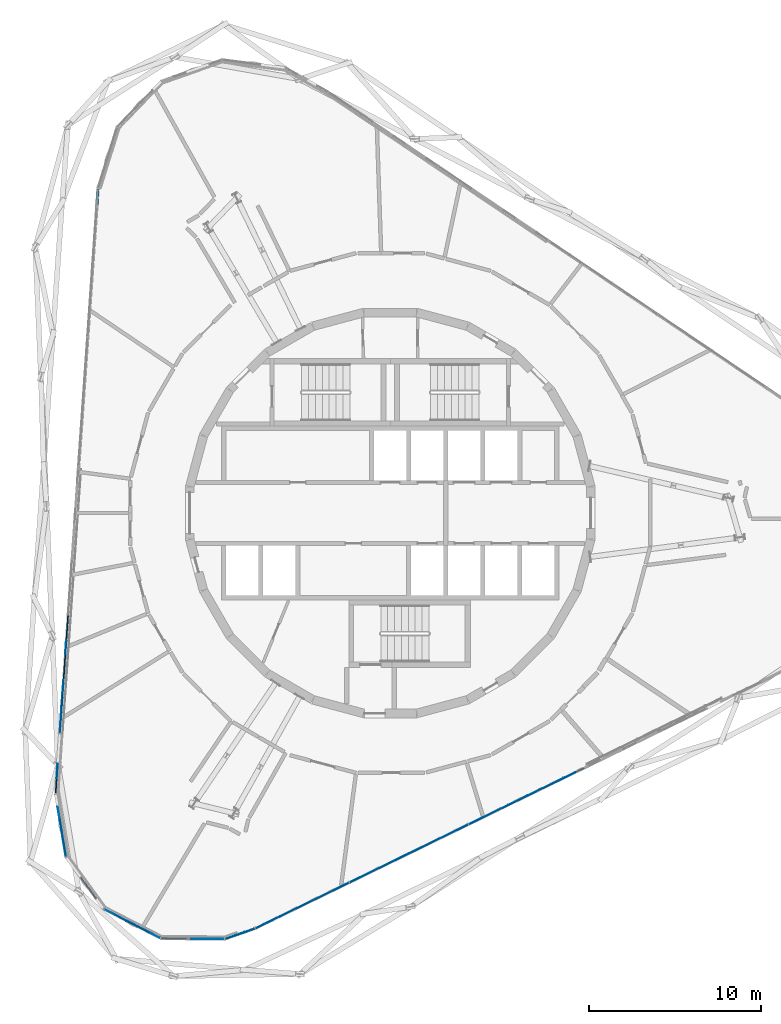
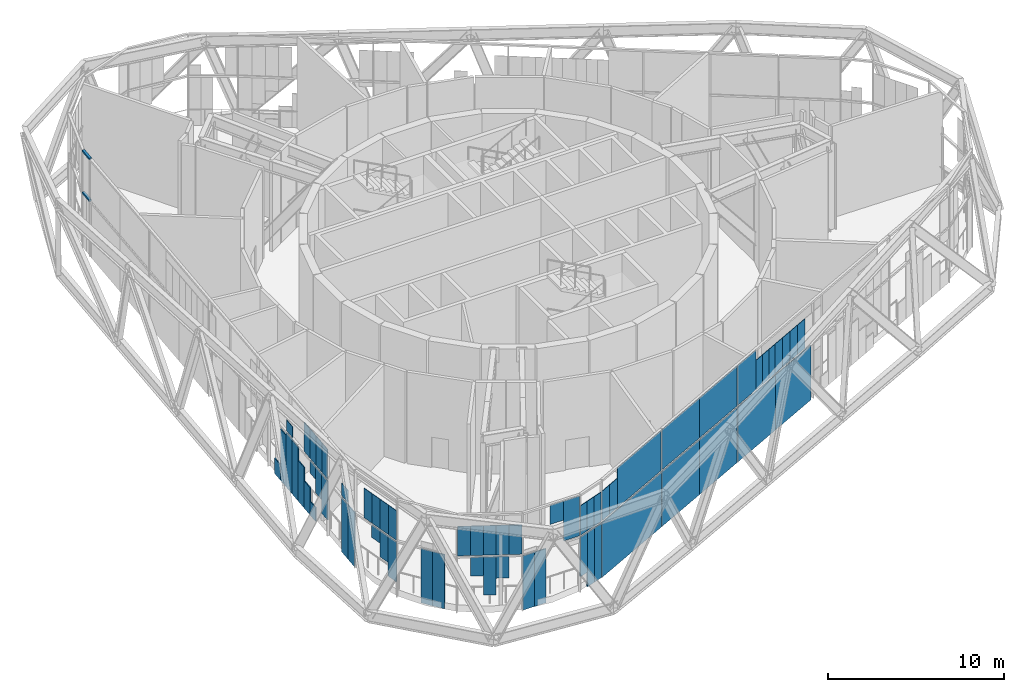
# One storey, part 9 of 24: 63 plates, 2 members, 4 elements without a shape of their own.
"""IFC4 building model written with IfcOpenShell, lengths in metres."""

from ifc_helpers import new_model, si_unit, direction, frame, origin, origin_2d, place, context, subcontext, project, spatial, rectangle, extrude, material, layer, layer_set, material_profile, profile_set, type_object, element, aggregate, save


model = new_model("IFC4")

# Units and contexts
model_context = context("Model", 3, precision=1e-05, world=origin(), true_north=direction((0.0, 1.0)))
body_context = subcontext(model_context, "Body", "Model", "MODEL_VIEW")
ifc_project = project(units=[si_unit("LENGTHUNIT", "METRE"), si_unit("AREAUNIT", "SQUARE_METRE"), si_unit("VOLUMEUNIT", "CUBIC_METRE"), si_unit("PLANEANGLEUNIT", "RADIAN"), si_unit("MASSUNIT", "GRAM", prefix="KILO")], contexts=[model_context])

# Site, building, storey
site_placement = place(None, origin())
site = spatial("IfcSite", under=ifc_project, at=site_placement, CompositionType="ELEMENT")
building_placement = place(site_placement, origin())
building = spatial("IfcBuilding", under=site, at=building_placement, Name="Spindle Arch Residences", CompositionType="ELEMENT")
storey_placement = place(building_placement, frame((0.0, 0.0, 219.89990234375)))
storey = spatial("IfcBuildingStorey", under=building, at=storey_placement, Name="L56", CompositionType="ELEMENT", Elevation=219.89990234375)

# Curtain wall, members
ifc_material_1 = material(Name="Aluminium bronze unitised frame with tinted glass", Category="aluminium")
ifc_layer_1 = layer(ifc_material_1, 0.159912109375)
ifc_layer_set_1 = layer_set([ifc_layer_1], Name="CW-E double-height winter garden wall")
curtain_wall_type = type_object("IfcCurtainWallType", Name="CW-E double-height winter garden wall", PredefinedType="NOTDEFINED", material=ifc_layer_set_1)
curtain_wall_1_placement = place(storey_placement, origin())
curtain_wall_1 = element("IfcCurtainWall", 1, at=curtain_wall_1_placement, inside=storey, type_object=curtain_wall_type, Name="CW-E L56 run 3", PredefinedType="NOTDEFINED")
ifc_material_2 = material(Name="Aluminium bronze anodised transom", Category="aluminium")
ifc_material_profile = material_profile(ifc_material_2, rectangle(XDim=0.159912109375, YDim=0.1201171875, at=origin_2d()), Name="TR 120x160")
ifc_profile_set = profile_set([ifc_material_profile], Name="Aluminium bronze anodised transom")
member_type = type_object("IfcMemberType", Name="Bronze transom 120x160", PredefinedType="USERDEFINED", material=ifc_profile_set)
member_1_placement = place(storey_placement, frame((-16.98828125, 18.83447265625, 6.2900390625), z_axis=(-0.069692035463, -0.997568554132, 0.0), x_axis=(0.997568554132, -0.069692035463, 0.0)))
member_1 = element("IfcMember", 2, at=member_1_placement, type_object=member_type, Name="CW-E transom 05", ObjectType="TRANSOM", PredefinedType="USERDEFINED", context=body_context, shape_type="SweptSolid", body=[
    extrude(rectangle(XDim=0.159912109375, YDim=0.1201171875, at=origin_2d()), origin(), (0.0, 0.0, 1.0), 0.90380859375),
])
member_2_placement = place(storey_placement, frame((-16.98828125, 18.83447265625, 3.400146484375), z_axis=(-0.069692035463, -0.997568554132, 0.0), x_axis=(0.997568554132, -0.069692035463, 0.0)))
member_2 = element("IfcMember", 3, at=member_2_placement, type_object=member_type, Name="CW-E transom 05m", ObjectType="TRANSOM", PredefinedType="USERDEFINED", context=body_context, shape_type="SweptSolid", body=[
    extrude(rectangle(XDim=0.159912109375, YDim=0.1201171875, at=origin_2d()), origin(), (0.0, 0.0, 1.0), 0.90380859375),
])
aggregate(curtain_wall_1, [member_1, member_2])

# Curtain wall, plates
curtain_wall_2_placement = place(storey_placement, origin())
curtain_wall_2 = element("IfcCurtainWall", 4, at=curtain_wall_2_placement, inside=storey, type_object=curtain_wall_type, Name="CW-E L56 run 4", PredefinedType="NOTDEFINED")
ifc_material_3 = material(Name="Tinted laminated glass 28 mm", Category="glass")
ifc_layer_2 = layer(ifc_material_3, 0.028076171875)
ifc_layer_set_2 = layer_set([ifc_layer_2], Name="Tinted glass panel 28 mm")
plate_type_1 = type_object("IfcPlateType", Name="Tinted glass panel 28 mm", PredefinedType="CURTAIN_PANEL", material=ifc_layer_set_2)
plate_1_placement = place(storey_placement, frame((-18.85205078125, -7.817138671875, 3.460205078125), z_axis=(0.0, 0.0, 1.0), x_axis=(-0.069756473744, -0.99756405026, 0.0)))
plate_1 = element("IfcPlate", 5, at=plate_1_placement, type_object=plate_type_1, Name="CW-E panel 15Ab.2", PredefinedType="CURTAIN_PANEL", context=body_context, shape_type="SweptSolid", body=[
    extrude(rectangle(XDim=0.763427734375, YDim=0.028076171875, at=origin_2d()), origin(), (0.0, 0.0, 1.0), 0.7490234375),
])
plate_2_placement = place(storey_placement, frame((-19.01171875, -10.101806640625, 3.460205078125), z_axis=(0.0, 0.0, 1.0), x_axis=(-0.069756473744, -0.99756405026, 0.0)))
plate_2 = element("IfcPlate", 6, at=plate_2_placement, type_object=plate_type_1, Name="CW-E panel 15Bb.1", PredefinedType="CURTAIN_PANEL", context=body_context, shape_type="SweptSolid", body=[
    extrude(rectangle(XDim=0.763427734375, YDim=0.028076171875, at=origin_2d()), origin(), (0.0, 0.0, 1.0), 2.0458984375),
])
plate_3_placement = place(storey_placement, frame((-19.06494140625, -10.86328125, 3.460205078125), z_axis=(0.0, 0.0, 1.0), x_axis=(-0.069756473744, -0.99756405026, 0.0)))
plate_3 = element("IfcPlate", 7, at=plate_3_placement, type_object=plate_type_1, Name="CW-E panel 15Bb.2", PredefinedType="CURTAIN_PANEL", context=body_context, shape_type="SweptSolid", body=[
    extrude(rectangle(XDim=0.763427734375, YDim=0.028076171875, at=origin_2d()), origin(), (0.0, 0.0, 1.0), 2.0458984375),
])
plate_4_placement = place(storey_placement, frame((-19.1181640625, -11.624755859375, 3.460205078125), z_axis=(0.0, 0.0, 1.0), x_axis=(-0.069756473744, -0.99756405026, 0.0)))
plate_4 = element("IfcPlate", 8, at=plate_4_placement, type_object=plate_type_1, Name="CW-E panel 15Bb.3", PredefinedType="CURTAIN_PANEL", context=body_context, shape_type="SweptSolid", body=[
    extrude(rectangle(XDim=0.763427734375, YDim=0.028076171875, at=origin_2d()), origin(), (0.0, 0.0, 1.0), 2.0458984375),
])
plate_5_placement = place(storey_placement, frame((-19.17138671875, -12.38623046875, 3.460205078125), z_axis=(0.0, 0.0, 1.0), x_axis=(-0.069756473744, -0.99756405026, 0.0)))
plate_5 = element("IfcPlate", 9, at=plate_5_placement, type_object=plate_type_1, Name="CW-E panel 15Bb.4", PredefinedType="CURTAIN_PANEL", context=body_context, shape_type="SweptSolid", body=[
    extrude(rectangle(XDim=0.763427734375, YDim=0.028076171875, at=origin_2d()), origin(), (0.0, 0.0, 1.0), 2.0458984375),
])

curtain_wall_3_placement = place(storey_placement, origin())
curtain_wall_3 = element("IfcCurtainWall", 10, at=curtain_wall_3_placement, inside=storey, type_object=curtain_wall_type, Name="CW-E L56 run 5", PredefinedType="NOTDEFINED")
plate_6_placement = place(storey_placement, frame((-19.353515625, -14.989501953125, 3.4599609375), z_axis=(0.0, 0.0, 1.0), x_axis=(-0.069756473744, -0.99756405026, 0.0)))
plate_6 = element("IfcPlate", 11, at=plate_6_placement, type_object=plate_type_1, Name="CW-E panel 00b.1", PredefinedType="CURTAIN_PANEL", context=body_context, shape_type="SweptSolid", body=[
    extrude(rectangle(XDim=0.8671875, YDim=0.028076171875, at=origin_2d()), origin(), (0.0, 0.0, 1.0), 0.85986328125),
])
plate_7_placement = place(storey_placement, frame((-19.26318359375, -17.431884765625, 3.460205078125), z_axis=(0.0, 0.0, 1.0), x_axis=(0.162177925821, -0.986761531666, 0.0)))
plate_7 = element("IfcPlate", 12, at=plate_7_placement, type_object=plate_type_1, Name="CW-E panel 01b.1", PredefinedType="CURTAIN_PANEL", context=body_context, shape_type="SweptSolid", body=[
    extrude(rectangle(XDim=0.7333984375, YDim=0.028076171875, at=origin_2d()), origin(), (0.0, 0.0, 1.0), 2.0458984375),
])
plate_8_placement = place(storey_placement, frame((-19.14404296875, -18.155517578125, 3.460205078125), z_axis=(0.0, 0.0, 1.0), x_axis=(0.162177925821, -0.986761531666, 0.0)))
plate_8 = element("IfcPlate", 13, at=plate_8_placement, type_object=plate_type_1, Name="CW-E panel 01b.2", PredefinedType="CURTAIN_PANEL", context=body_context, shape_type="SweptSolid", body=[
    extrude(rectangle(XDim=0.7333984375, YDim=0.028076171875, at=origin_2d()), origin(), (0.0, 0.0, 1.0), 2.0458984375),
])
plate_9_placement = place(storey_placement, frame((-19.025146484375, -18.879150390625, 3.460205078125), z_axis=(0.0, 0.0, 1.0), x_axis=(0.162177925821, -0.986761531666, 0.0)))
plate_9 = element("IfcPlate", 14, at=plate_9_placement, type_object=plate_type_1, Name="CW-E panel 01b.3", PredefinedType="CURTAIN_PANEL", context=body_context, shape_type="SweptSolid", body=[
    extrude(rectangle(XDim=0.7333984375, YDim=0.028076171875, at=origin_2d()), origin(), (0.0, 0.0, 1.0), 2.0458984375),
])
plate_10_placement = place(storey_placement, frame((-18.90625, -19.602783203125, 3.460205078125), z_axis=(0.0, 0.0, 1.0), x_axis=(0.162177925821, -0.986761531666, 0.0)))
plate_10 = element("IfcPlate", 15, at=plate_10_placement, type_object=plate_type_1, Name="CW-E panel 01b.4", PredefinedType="CURTAIN_PANEL", context=body_context, shape_type="SweptSolid", body=[
    extrude(rectangle(XDim=0.7333984375, YDim=0.028076171875, at=origin_2d()), origin(), (0.0, 0.0, 1.0), 2.0458984375),
])
plate_11_placement = place(storey_placement, frame((-16.299072265625, -23.19140625, 3.460205078125), z_axis=(0.0, 0.0, 1.0), x_axis=(0.88835025098, -0.459166453025, 0.0)))
plate_11 = element("IfcPlate", 16, at=plate_11_placement, type_object=plate_type_1, Name="CW-E panel 03b.1", PredefinedType="CURTAIN_PANEL", context=body_context, shape_type="SweptSolid", body=[
    extrude(rectangle(XDim=0.7333984375, YDim=0.028076171875, at=origin_2d()), origin(), (0.0, 0.0, 1.0), 2.0458984375),
])
plate_12_placement = place(storey_placement, frame((-15.6474609375, -23.528076171875, 3.460205078125), z_axis=(0.0, 0.0, 1.0), x_axis=(0.88835025098, -0.459166453025, 0.0)))
plate_12 = element("IfcPlate", 17, at=plate_12_placement, type_object=plate_type_1, Name="CW-E panel 03b.2", PredefinedType="CURTAIN_PANEL", context=body_context, shape_type="SweptSolid", body=[
    extrude(rectangle(XDim=0.7333984375, YDim=0.028076171875, at=origin_2d()), origin(), (0.0, 0.0, 1.0), 2.0458984375),
])
plate_13_placement = place(storey_placement, frame((-14.99609375, -23.86474609375, 3.460205078125), z_axis=(0.0, 0.0, 1.0), x_axis=(0.88835025098, -0.459166453025, 0.0)))
plate_13 = element("IfcPlate", 18, at=plate_13_placement, type_object=plate_type_1, Name="CW-E panel 03b.3", PredefinedType="CURTAIN_PANEL", context=body_context, shape_type="SweptSolid", body=[
    extrude(rectangle(XDim=0.7333984375, YDim=0.028076171875, at=origin_2d()), origin(), (0.0, 0.0, 1.0), 2.0458984375),
])
plate_14_placement = place(storey_placement, frame((-14.3447265625, -24.20166015625, 3.460205078125), z_axis=(0.0, 0.0, 1.0), x_axis=(0.88835025098, -0.459166453025, 0.0)))
plate_14 = element("IfcPlate", 19, at=plate_14_placement, type_object=plate_type_1, Name="CW-E panel 03b.4", PredefinedType="CURTAIN_PANEL", context=body_context, shape_type="SweptSolid", body=[
    extrude(rectangle(XDim=0.7333984375, YDim=0.028076171875, at=origin_2d()), origin(), (0.0, 0.0, 1.0), 2.0458984375),
])
plate_15_placement = place(storey_placement, frame((-13.693115234375, -24.538330078125, 3.460205078125), z_axis=(0.0, 0.0, 1.0), x_axis=(0.88835025098, -0.459166453025, 0.0)))
plate_15 = element("IfcPlate", 20, at=plate_15_placement, type_object=plate_type_1, Name="CW-E panel 03b.5", PredefinedType="CURTAIN_PANEL", context=body_context, shape_type="SweptSolid", body=[
    extrude(rectangle(XDim=0.7333984375, YDim=0.028076171875, at=origin_2d()), origin(), (0.0, 0.0, 1.0), 2.0458984375),
])
plate_16_placement = place(storey_placement, frame((-11.112548828125, -24.746337890625, 4.901611328125), z_axis=(0.0, 0.0, 1.0), x_axis=(0.999932308032, -0.011635263346, 0.0)))
plate_16 = element("IfcPlate", 21, at=plate_16_placement, type_object=plate_type_1, Name="CW-E panel 04b.3", PredefinedType="CURTAIN_PANEL", context=body_context, shape_type="SweptSolid", body=[
    extrude(rectangle(XDim=0.87939453125, YDim=0.028076171875, at=origin_2d()), origin(), (0.0, 0.0, 1.0), 1.32861328125),
])
plate_17_placement = place(storey_placement, frame((-10.158447265625, -24.757568359375, 3.460205078125), z_axis=(0.0, 0.0, 1.0), x_axis=(0.999932308032, -0.011635263346, 0.0)))
plate_17 = element("IfcPlate", 22, at=plate_17_placement, type_object=plate_type_1, Name="CW-E panel 04b.4", PredefinedType="CURTAIN_PANEL", context=body_context, shape_type="SweptSolid", body=[
    extrude(rectangle(XDim=1.028564453125, YDim=0.028076171875, at=origin_2d()), origin(), (0.0, 0.0, 1.0), 2.77001953125),
])
plate_18_placement = place(storey_placement, frame((-9.30029296875, -24.653564453125, 3.460205078125), z_axis=(0.0, 0.0, 1.0), x_axis=(0.943608504957, 0.33106342198, 0.0)))
plate_18 = element("IfcPlate", 23, at=plate_18_placement, type_object=plate_type_1, Name="CW-E panel 05b.1", PredefinedType="CURTAIN_PANEL", context=body_context, shape_type="SweptSolid", body=[
    extrude(rectangle(XDim=0.60546875, YDim=0.028076171875, at=origin_2d()), origin(), (0.0, 0.0, 1.0), 2.0458984375),
])
plate_19_placement = place(storey_placement, frame((-8.72900390625, -24.453369140625, 3.460205078125), z_axis=(0.0, 0.0, 1.0), x_axis=(0.943608504957, 0.33106342198, 0.0)))
plate_19 = element("IfcPlate", 24, at=plate_19_placement, type_object=plate_type_1, Name="CW-E panel 05b.2", PredefinedType="CURTAIN_PANEL", context=body_context, shape_type="SweptSolid", body=[
    extrude(rectangle(XDim=0.60546875, YDim=0.028076171875, at=origin_2d()), origin(), (0.0, 0.0, 1.0), 2.0458984375),
])
plate_20_placement = place(storey_placement, frame((-8.157958984375, -24.2529296875, 3.460205078125), z_axis=(0.0, 0.0, 1.0), x_axis=(0.943608504957, 0.33106342198, 0.0)))
plate_20 = element("IfcPlate", 25, at=plate_20_placement, type_object=plate_type_1, Name="CW-E panel 05b.3", PredefinedType="CURTAIN_PANEL", context=body_context, shape_type="SweptSolid", body=[
    extrude(rectangle(XDim=0.60546875, YDim=0.028076171875, at=origin_2d()), origin(), (0.0, 0.0, 1.0), 2.0458984375),
])
plate_21_placement = place(storey_placement, frame((-7.4609375, -23.955810546875, 3.460205078125), z_axis=(0.0, 0.0, 1.0), x_axis=(0.898794046299, 0.438371146789, 0.0)))
plate_21 = element("IfcPlate", 26, at=plate_21_placement, type_object=plate_type_1, Name="CW-E panel 06b.1", PredefinedType="CURTAIN_PANEL", context=body_context, shape_type="SweptSolid", body=[
    extrude(rectangle(XDim=0.792236328125, YDim=0.028076171875, at=origin_2d()), origin(), (0.0, 0.0, 1.0), 2.0458984375),
])
plate_22_placement = place(storey_placement, frame((-6.7490234375, -23.608642578125, 3.460205078125), z_axis=(0.0, 0.0, 1.0), x_axis=(0.898794046299, 0.438371146789, 0.0)))
plate_22 = element("IfcPlate", 27, at=plate_22_placement, type_object=plate_type_1, Name="CW-E panel 06b.2", PredefinedType="CURTAIN_PANEL", context=body_context, shape_type="SweptSolid", body=[
    extrude(rectangle(XDim=0.792236328125, YDim=0.028076171875, at=origin_2d()), origin(), (0.0, 0.0, 1.0), 2.0458984375),
])
plate_23_placement = place(storey_placement, frame((-4.393798828125, -22.4599609375, 3.460205078125), z_axis=(0.0, 0.0, 1.0), x_axis=(0.898794046299, 0.438371146789, 0.0)))
plate_23 = element("IfcPlate", 28, at=plate_23_placement, type_object=plate_type_1, Name="CW-E panel 06b.3", PredefinedType="CURTAIN_PANEL", context=body_context, shape_type="SweptSolid", body=[
    extrude(rectangle(XDim=4.448486328125, YDim=0.028076171875, at=origin_2d()), origin(), (0.0, 0.0, 1.0), 2.77001953125),
])

curtain_wall_4_placement = place(storey_placement, origin())
curtain_wall_4 = element("IfcCurtainWall", 29, at=curtain_wall_4_placement, inside=storey, type_object=curtain_wall_type, Name="CW-E L56 run 6", PredefinedType="NOTDEFINED")
plate_24_placement = place(storey_placement, frame((-0.625244140625, -20.6220703125, 3.460205078125), z_axis=(0.0, 0.0, 1.0), x_axis=(0.898794046299, 0.438371146789, 0.0)))
plate_24 = element("IfcPlate", 30, at=plate_24_placement, type_object=plate_type_1, Name="CW-E unit 20Ab", PredefinedType="CURTAIN_PANEL", context=body_context, shape_type="SweptSolid", body=[
    extrude(rectangle(XDim=3.81689453125, YDim=0.028076171875, at=origin_2d()), origin(), (0.0, 0.0, 1.0), 2.77001953125),
])
plate_25_placement = place(storey_placement, frame((2.80517578125, -18.94873046875, 3.460205078125), z_axis=(0.0, 0.0, 1.0), x_axis=(0.898794046299, 0.438371146789, 0.0)))
plate_25 = element("IfcPlate", 31, at=plate_25_placement, type_object=plate_type_1, Name="CW-E unit 20Bb", PredefinedType="CURTAIN_PANEL", context=body_context, shape_type="SweptSolid", body=[
    extrude(rectangle(XDim=3.81689453125, YDim=0.028076171875, at=origin_2d()), origin(), (0.0, 0.0, 1.0), 2.77001953125),
])
plate_26_placement = place(storey_placement, frame((5.42626953125, -17.67041015625, 3.460205078125), z_axis=(0.0, 0.0, 1.0), x_axis=(0.898794046299, 0.438371146789, 0.0)))
plate_26 = element("IfcPlate", 32, at=plate_26_placement, type_object=plate_type_1, Name="CW-E panel 21Ab.1", PredefinedType="CURTAIN_PANEL", context=body_context, shape_type="SweptSolid", body=[
    extrude(rectangle(XDim=1.895751953125, YDim=0.028076171875, at=origin_2d()), origin(), (0.0, 0.0, 1.0), 2.77001953125),
])
plate_27_placement = place(storey_placement, frame((6.56591796875, -17.114501953125, 3.460205078125), z_axis=(0.0, 0.0, 1.0), x_axis=(0.898794046299, 0.438371146789, 0.0)))
plate_27 = element("IfcPlate", 33, at=plate_27_placement, type_object=plate_type_1, Name="CW-E panel 21Ab.2", PredefinedType="CURTAIN_PANEL", context=body_context, shape_type="SweptSolid", body=[
    extrude(rectangle(XDim=0.640380859375, YDim=0.028076171875, at=origin_2d()), origin(), (0.0, 0.0, 1.0), 2.0458984375),
])
plate_28_placement = place(storey_placement, frame((7.1416015625, -16.833740234375, 3.460205078125), z_axis=(0.0, 0.0, 1.0), x_axis=(0.898794046299, 0.438371146789, 0.0)))
plate_28 = element("IfcPlate", 34, at=plate_28_placement, type_object=plate_type_1, Name="CW-E panel 21Ab.3", PredefinedType="CURTAIN_PANEL", context=body_context, shape_type="SweptSolid", body=[
    extrude(rectangle(XDim=0.640380859375, YDim=0.028076171875, at=origin_2d()), origin(), (0.0, 0.0, 1.0), 2.0458984375),
])
plate_29_placement = place(storey_placement, frame((7.71728515625, -16.552978515625, 3.460205078125), z_axis=(0.0, 0.0, 1.0), x_axis=(0.898794046299, 0.438371146789, 0.0)))
plate_29 = element("IfcPlate", 35, at=plate_29_placement, type_object=plate_type_1, Name="CW-E panel 21Ab.4", PredefinedType="CURTAIN_PANEL", context=body_context, shape_type="SweptSolid", body=[
    extrude(rectangle(XDim=0.640380859375, YDim=0.028076171875, at=origin_2d()), origin(), (0.0, 0.0, 1.0), 2.0458984375),
])
plate_30_placement = place(storey_placement, frame((8.34814453125, -16.245361328125, 3.460205078125), z_axis=(0.0, 0.0, 1.0), x_axis=(0.898794046299, 0.438371146789, 0.0)))
plate_30 = element("IfcPlate", 36, at=plate_30_placement, type_object=plate_type_1, Name="CW-E panel 21Bb.1", PredefinedType="CURTAIN_PANEL", context=body_context, shape_type="SweptSolid", body=[
    extrude(rectangle(XDim=0.763427734375, YDim=0.028076171875, at=origin_2d()), origin(), (0.0, 0.0, 1.0), 2.0458984375),
])
plate_31_placement = place(storey_placement, frame((9.0341796875, -15.91064453125, 3.460205078125), z_axis=(0.0, 0.0, 1.0), x_axis=(0.898794046299, 0.438371146789, 0.0)))
plate_31 = element("IfcPlate", 37, at=plate_31_placement, type_object=plate_type_1, Name="CW-E panel 21Bb.2", PredefinedType="CURTAIN_PANEL", context=body_context, shape_type="SweptSolid", body=[
    extrude(rectangle(XDim=0.763427734375, YDim=0.028076171875, at=origin_2d()), origin(), (0.0, 0.0, 1.0), 2.0458984375),
])
plate_32_placement = place(storey_placement, frame((9.72021484375, -15.576171875, 3.460205078125), z_axis=(0.0, 0.0, 1.0), x_axis=(0.898794046299, 0.438371146789, 0.0)))
plate_32 = element("IfcPlate", 38, at=plate_32_placement, type_object=plate_type_1, Name="CW-E panel 21Bb.3", PredefinedType="CURTAIN_PANEL", context=body_context, shape_type="SweptSolid", body=[
    extrude(rectangle(XDim=0.763427734375, YDim=0.028076171875, at=origin_2d()), origin(), (0.0, 0.0, 1.0), 2.0458984375),
])
plate_33_placement = place(storey_placement, frame((10.406494140625, -15.241455078125, 3.460205078125), z_axis=(0.0, 0.0, 1.0), x_axis=(0.898794046299, 0.438371146789, 0.0)))
plate_33 = element("IfcPlate", 39, at=plate_33_placement, type_object=plate_type_1, Name="CW-E panel 21Bb.4", PredefinedType="CURTAIN_PANEL", context=body_context, shape_type="SweptSolid", body=[
    extrude(rectangle(XDim=0.763427734375, YDim=0.028076171875, at=origin_2d()), origin(), (0.0, 0.0, 1.0), 2.0458984375),
])

# Plate
ifc_material_4 = material(Name="Tinted double glazing over aluminium faced non-combustible spandrel zone (K0)", Category="aluminium")
ifc_layer_3 = layer(ifc_material_4, 0.06005859375)
ifc_layer_set_3 = layer_set([ifc_layer_3], Name="Unitised glass panel with E 60 spandrel zone")
plate_type_2 = type_object("IfcPlateType", Name="Unitised glass panel with E 60 spandrel zone", PredefinedType="CURTAIN_PANEL", material=ifc_layer_set_3)
plate_34_placement = place(storey_placement, frame((-18.74560546875, -6.294189453125, -0.449951171875), z_axis=(0.0, 0.0, 1.0), x_axis=(-0.069756473744, -0.99756405026, 0.0)))
plate_34 = element("IfcPlate", 40, at=plate_34_placement, type_object=plate_type_2, Name="CW-E panel 15Aa.2", PredefinedType="CURTAIN_PANEL", context=body_context, shape_type="SweptSolid", body=[
    extrude(rectangle(XDim=0.763427734375, YDim=0.06005859375, at=origin_2d()), origin(), (0.0, 0.0, 1.0), 1.05859375),
])

plate_35_placement = place(storey_placement, frame((-18.798828125, -7.0556640625, -0.449951171875), z_axis=(0.0, 0.0, 1.0), x_axis=(-0.069756473744, -0.99756405026, 0.0)))
plate_35 = element("IfcPlate", 41, at=plate_35_placement, type_object=plate_type_2, Name="CW-E panel 15Aa.3", PredefinedType="CURTAIN_PANEL", context=body_context, shape_type="SweptSolid", body=[
    extrude(rectangle(XDim=0.763427734375, YDim=0.06005859375, at=origin_2d()), origin(), (0.0, 0.0, 1.0), 3.55419921875),
])

plate_36_placement = place(storey_placement, frame((-18.85205078125, -7.817138671875, -0.449951171875), z_axis=(0.0, 0.0, 1.0), x_axis=(-0.069756473744, -0.99756405026, 0.0)))
plate_36 = element("IfcPlate", 42, at=plate_36_placement, type_object=plate_type_2, Name="CW-E panel 15Aa.4", PredefinedType="CURTAIN_PANEL", context=body_context, shape_type="SweptSolid", body=[
    extrude(rectangle(XDim=0.763427734375, YDim=0.06005859375, at=origin_2d()), origin(), (0.0, 0.0, 1.0), 3.7900390625),
])

plate_37_placement = place(storey_placement, frame((-18.9052734375, -8.578857421875, -0.449951171875), z_axis=(0.0, 0.0, 1.0), x_axis=(-0.069756473744, -0.99756405026, 0.0)))
plate_37 = element("IfcPlate", 43, at=plate_37_placement, type_object=plate_type_2, Name="CW-E panel 15Aa.5", PredefinedType="CURTAIN_PANEL", context=body_context, shape_type="SweptSolid", body=[
    extrude(rectangle(XDim=0.763427734375, YDim=0.06005859375, at=origin_2d()), origin(), (0.0, 0.0, 1.0), 3.734375),
])

plate_38_placement = place(storey_placement, frame((-18.95849609375, -9.34033203125, -0.4501953125), z_axis=(0.0, 0.0, 1.0), x_axis=(-0.069756473744, -0.99756405026, 0.0)))
plate_38 = element("IfcPlate", 44, at=plate_38_placement, type_object=plate_type_2, Name="CW-E panel 15Ba.1", PredefinedType="CURTAIN_PANEL", context=body_context, shape_type="SweptSolid", body=[
    extrude(rectangle(XDim=0.763427734375, YDim=0.06005859375, at=origin_2d()), origin(), (0.0, 0.0, 1.0), 2.809814453125),
])

plate_39_placement = place(storey_placement, frame((-19.01171875, -10.101806640625, -0.44970703125), z_axis=(0.0, 0.0, 1.0), x_axis=(-0.069756473744, -0.99756405026, 0.0)))
plate_39 = element("IfcPlate", 45, at=plate_39_placement, type_object=plate_type_2, Name="CW-E panel 15Ba.2", PredefinedType="CURTAIN_PANEL", context=body_context, shape_type="SweptSolid", body=[
    extrude(rectangle(XDim=0.763427734375, YDim=0.06005859375, at=origin_2d()), origin(), (0.0, 0.0, 1.0), 1.885009765625),
])

plate_40_placement = place(storey_placement, frame((-19.06494140625, -10.86328125, -0.449951171875), z_axis=(0.0, 0.0, 1.0), x_axis=(-0.069756473744, -0.99756405026, 0.0)))
plate_40 = element("IfcPlate", 46, at=plate_40_placement, type_object=plate_type_2, Name="CW-E panel 15Ba.3", PredefinedType="CURTAIN_PANEL", context=body_context, shape_type="SweptSolid", body=[
    extrude(rectangle(XDim=0.763427734375, YDim=0.06005859375, at=origin_2d()), origin(), (0.0, 0.0, 1.0), 0.96044921875),
])

plate_41_placement = place(storey_placement, frame((-19.06494140625, -10.86328125, 2.471923828125), z_axis=(0.0, 0.0, 1.0), x_axis=(-0.069756473744, -0.99756405026, 0.0)))
plate_41 = element("IfcPlate", 47, at=plate_41_placement, type_object=plate_type_2, Name="CW-E panel 15Ba.4", PredefinedType="CURTAIN_PANEL", context=body_context, shape_type="SweptSolid", body=[
    extrude(rectangle(XDim=0.763427734375, YDim=0.06005859375, at=origin_2d()), origin(), (0.0, 0.0, 1.0), 0.8681640625),
])

plate_42_placement = place(storey_placement, frame((-19.1181640625, -11.624755859375, 1.547119140625), z_axis=(0.0, 0.0, 1.0), x_axis=(-0.069756473744, -0.99756405026, 0.0)))
plate_42 = element("IfcPlate", 48, at=plate_42_placement, type_object=plate_type_2, Name="CW-E panel 15Ba.5", PredefinedType="CURTAIN_PANEL", context=body_context, shape_type="SweptSolid", body=[
    extrude(rectangle(XDim=0.763427734375, YDim=0.06005859375, at=origin_2d()), origin(), (0.0, 0.0, 1.0), 1.79296875),
])

plate_43_placement = place(storey_placement, frame((-19.17138671875, -12.38623046875, 0.62255859375), z_axis=(0.0, 0.0, 1.0), x_axis=(-0.069756473744, -0.99756405026, 0.0)))
plate_43 = element("IfcPlate", 49, at=plate_43_placement, type_object=plate_type_2, Name="CW-E panel 15Ba.6", PredefinedType="CURTAIN_PANEL", context=body_context, shape_type="SweptSolid", body=[
    extrude(rectangle(XDim=0.763427734375, YDim=0.06005859375, at=origin_2d()), origin(), (0.0, 0.0, 1.0), 2.717529296875),
])

aggregate(curtain_wall_2, [plate_34, plate_35, plate_36, plate_37, plate_1, plate_38, plate_39, plate_40, plate_41, plate_42, plate_43, plate_2, plate_3, plate_4, plate_5])

plate_44_placement = place(storey_placement, frame((-19.353515625, -14.989501953125, -0.419921875), z_axis=(0.0, 0.0, 1.0), x_axis=(-0.069756473744, -0.99756405026, 0.0)))
plate_44 = element("IfcPlate", 50, at=plate_44_placement, type_object=plate_type_2, Name="CW-E panel 00a.1", PredefinedType="CURTAIN_PANEL", context=body_context, shape_type="SweptSolid", body=[
    extrude(rectangle(XDim=0.8671875, YDim=0.06005859375, at=origin_2d()), origin(), (0.0, 0.0, 1.0), 3.760009765625),
])

plate_45_placement = place(storey_placement, frame((-19.4140625, -15.8544921875, -0.419921875), z_axis=(0.0, 0.0, 1.0), x_axis=(-0.069756473744, -0.99756405026, 0.0)))
plate_45 = element("IfcPlate", 51, at=plate_45_placement, type_object=plate_type_2, Name="CW-E panel 00a.2", PredefinedType="CURTAIN_PANEL", context=body_context, shape_type="SweptSolid", body=[
    extrude(rectangle(XDim=0.8671875, YDim=0.06005859375, at=origin_2d()), origin(), (0.0, 0.0, 1.0), 3.760009765625),
])

plate_46_placement = place(storey_placement, frame((-19.14404296875, -18.155517578125, 2.47802734375), z_axis=(0.0, 0.0, 1.0), x_axis=(0.162177925821, -0.986761531666, 0.0)))
plate_46 = element("IfcPlate", 52, at=plate_46_placement, type_object=plate_type_2, Name="CW-E panel 01a.1", PredefinedType="CURTAIN_PANEL", context=body_context, shape_type="SweptSolid", body=[
    extrude(rectangle(XDim=0.7333984375, YDim=0.06005859375, at=origin_2d()), origin(), (0.0, 0.0, 1.0), 0.862060546875),
])

plate_47_placement = place(storey_placement, frame((-19.025146484375, -18.879150390625, 1.533447265625), z_axis=(0.0, 0.0, 1.0), x_axis=(0.162177925821, -0.986761531666, 0.0)))
plate_47 = element("IfcPlate", 53, at=plate_47_placement, type_object=plate_type_2, Name="CW-E panel 01a.2", PredefinedType="CURTAIN_PANEL", context=body_context, shape_type="SweptSolid", body=[
    extrude(rectangle(XDim=0.7333984375, YDim=0.06005859375, at=origin_2d()), origin(), (0.0, 0.0, 1.0), 1.806640625),
])

plate_48_placement = place(storey_placement, frame((-18.90625, -19.602783203125, 0.589111328125), z_axis=(0.0, 0.0, 1.0), x_axis=(0.162177925821, -0.986761531666, 0.0)))
plate_48 = element("IfcPlate", 54, at=plate_48_placement, type_object=plate_type_2, Name="CW-E panel 01a.3", PredefinedType="CURTAIN_PANEL", context=body_context, shape_type="SweptSolid", body=[
    extrude(rectangle(XDim=0.7333984375, YDim=0.06005859375, at=origin_2d()), origin(), (0.0, 0.0, 1.0), 2.7509765625),
])

plate_49_placement = place(storey_placement, frame((-17.74658203125, -21.501708984375, -0.419921875), z_axis=(0.0, 0.0, 1.0), x_axis=(0.587785254679, -0.809016992641, 0.0)))
plate_49 = element("IfcPlate", 55, at=plate_49_placement, type_object=plate_type_2, Name="CW-E panel 02a.1", PredefinedType="CURTAIN_PANEL", context=body_context, shape_type="SweptSolid", body=[
    extrude(rectangle(XDim=0.7333984375, YDim=0.06005859375, at=origin_2d()), origin(), (0.0, 0.0, 1.0), 3.760009765625),
])

plate_50_placement = place(storey_placement, frame((-17.315673828125, -22.094970703125, -0.419921875), z_axis=(0.0, 0.0, 1.0), x_axis=(0.587785254679, -0.809016992641, 0.0)))
plate_50 = element("IfcPlate", 56, at=plate_50_placement, type_object=plate_type_2, Name="CW-E panel 02a.2", PredefinedType="CURTAIN_PANEL", context=body_context, shape_type="SweptSolid", body=[
    extrude(rectangle(XDim=0.7333984375, YDim=0.06005859375, at=origin_2d()), origin(), (0.0, 0.0, 1.0), 3.760009765625),
])

plate_51_placement = place(storey_placement, frame((-15.6474609375, -23.528076171875, 2.049560546875), z_axis=(0.0, 0.0, 1.0), x_axis=(0.88835025098, -0.459166453025, 0.0)))
plate_51 = element("IfcPlate", 57, at=plate_51_placement, type_object=plate_type_2, Name="CW-E panel 03a.1", PredefinedType="CURTAIN_PANEL", context=body_context, shape_type="SweptSolid", body=[
    extrude(rectangle(XDim=0.7333984375, YDim=0.06005859375, at=origin_2d()), origin(), (0.0, 0.0, 1.0), 1.29052734375),
])

plate_52_placement = place(storey_placement, frame((-14.99609375, -23.86474609375, 0.702880859375), z_axis=(0.0, 0.0, 1.0), x_axis=(0.88835025098, -0.459166453025, 0.0)))
plate_52 = element("IfcPlate", 58, at=plate_52_placement, type_object=plate_type_2, Name="CW-E panel 03a.2", PredefinedType="CURTAIN_PANEL", context=body_context, shape_type="SweptSolid", body=[
    extrude(rectangle(XDim=0.7333984375, YDim=0.06005859375, at=origin_2d()), origin(), (0.0, 0.0, 1.0), 2.63720703125),
])

plate_53_placement = place(storey_placement, frame((-14.3447265625, -24.20166015625, 1.85009765625), z_axis=(0.0, 0.0, 1.0), x_axis=(0.88835025098, -0.459166453025, 0.0)))
plate_53 = element("IfcPlate", 59, at=plate_53_placement, type_object=plate_type_2, Name="CW-E panel 03a.3", PredefinedType="CURTAIN_PANEL", context=body_context, shape_type="SweptSolid", body=[
    extrude(rectangle(XDim=0.7333984375, YDim=0.06005859375, at=origin_2d()), origin(), (0.0, 0.0, 1.0), 1.489990234375),
])

plate_54_placement = place(storey_placement, frame((-12.944091796875, -24.72509765625, -0.419921875), z_axis=(0.0, 0.0, 1.0), x_axis=(0.999932308032, -0.011635263346, 0.0)))
plate_54 = element("IfcPlate", 60, at=plate_54_placement, type_object=plate_type_2, Name="CW-E panel 04a.1", PredefinedType="CURTAIN_PANEL", context=body_context, shape_type="SweptSolid", body=[
    extrude(rectangle(XDim=0.7333984375, YDim=0.06005859375, at=origin_2d()), origin(), (0.0, 0.0, 1.0), 3.760009765625),
])

plate_55_placement = place(storey_placement, frame((-12.210693359375, -24.733642578125, -0.419921875), z_axis=(0.0, 0.0, 1.0), x_axis=(0.999932308032, -0.011635263346, 0.0)))
plate_55 = element("IfcPlate", 61, at=plate_55_placement, type_object=plate_type_2, Name="CW-E panel 04a.2", PredefinedType="CURTAIN_PANEL", context=body_context, shape_type="SweptSolid", body=[
    extrude(rectangle(XDim=0.7333984375, YDim=0.06005859375, at=origin_2d()), origin(), (0.0, 0.0, 1.0), 3.760009765625),
])

plate_56_placement = place(storey_placement, frame((-9.30029296875, -24.653564453125, 0.60107421875), z_axis=(0.0, 0.0, 1.0), x_axis=(0.943608504957, 0.33106342198, 0.0)))
plate_56 = element("IfcPlate", 62, at=plate_56_placement, type_object=plate_type_2, Name="CW-E panel 05a.1", PredefinedType="CURTAIN_PANEL", context=body_context, shape_type="SweptSolid", body=[
    extrude(rectangle(XDim=0.60546875, YDim=0.06005859375, at=origin_2d()), origin(), (0.0, 0.0, 1.0), 2.739013671875),
])

plate_57_placement = place(storey_placement, frame((-8.72900390625, -24.453369140625, -0.41748046875), z_axis=(0.0, 0.0, 1.0), x_axis=(0.943608504957, 0.33106342198, 0.0)))
plate_57 = element("IfcPlate", 63, at=plate_57_placement, type_object=plate_type_2, Name="CW-E panel 05a.2", PredefinedType="CURTAIN_PANEL", context=body_context, shape_type="SweptSolid", body=[
    extrude(rectangle(XDim=0.60546875, YDim=0.06005859375, at=origin_2d()), origin(), (0.0, 0.0, 1.0), 3.757568359375),
])

plate_58_placement = place(storey_placement, frame((-8.157958984375, -24.2529296875, -0.419921875), z_axis=(0.0, 0.0, 1.0), x_axis=(0.943608504957, 0.33106342198, 0.0)))
plate_58 = element("IfcPlate", 64, at=plate_58_placement, type_object=plate_type_2, Name="CW-E panel 05a.3", PredefinedType="CURTAIN_PANEL", context=body_context, shape_type="SweptSolid", body=[
    extrude(rectangle(XDim=0.60546875, YDim=0.06005859375, at=origin_2d()), origin(), (0.0, 0.0, 1.0), 3.760009765625),
])

plate_59_placement = place(storey_placement, frame((-5.105712890625, -22.80712890625, -0.449951171875), z_axis=(0.0, 0.0, 1.0), x_axis=(0.898794046299, 0.438371146789, 0.0)))
plate_59 = element("IfcPlate", 65, at=plate_59_placement, type_object=plate_type_2, Name="CW-E unit 06a", PredefinedType="CURTAIN_PANEL", context=body_context, shape_type="SweptSolid", body=[
    extrude(rectangle(XDim=6.032958984375, YDim=0.06005859375, at=origin_2d()), origin(), (0.0, 0.0, 1.0), 3.7900390625),
])

aggregate(curtain_wall_3, [plate_44, plate_45, plate_6, plate_46, plate_47, plate_48, plate_7, plate_8, plate_9, plate_10, plate_49, plate_50, plate_51, plate_52, plate_53, plate_11, plate_12, plate_13, plate_14, plate_15, plate_54, plate_55, plate_16, plate_17, plate_56, plate_57, plate_58, plate_18, plate_19, plate_20, plate_59, plate_21, plate_22, plate_23])

plate_60_placement = place(storey_placement, frame((-0.625244140625, -20.6220703125, -0.449951171875), z_axis=(0.0, 0.0, 1.0), x_axis=(0.898794046299, 0.438371146789, 0.0)))
plate_60 = element("IfcPlate", 66, at=plate_60_placement, type_object=plate_type_2, Name="CW-E unit 20Aa", PredefinedType="CURTAIN_PANEL", context=body_context, shape_type="SweptSolid", body=[
    extrude(rectangle(XDim=3.81689453125, YDim=0.06005859375, at=origin_2d()), origin(), (0.0, 0.0, 1.0), 3.7900390625),
])

plate_61_placement = place(storey_placement, frame((2.80517578125, -18.94873046875, -0.449951171875), z_axis=(0.0, 0.0, 1.0), x_axis=(0.898794046299, 0.438371146789, 0.0)))
plate_61 = element("IfcPlate", 67, at=plate_61_placement, type_object=plate_type_2, Name="CW-E unit 20Ba", PredefinedType="CURTAIN_PANEL", context=body_context, shape_type="SweptSolid", body=[
    extrude(rectangle(XDim=3.81689453125, YDim=0.06005859375, at=origin_2d()), origin(), (0.0, 0.0, 1.0), 3.7900390625),
])

plate_62_placement = place(storey_placement, frame((6.289794921875, -17.249267578125, -0.449951171875), z_axis=(0.0, 0.0, 1.0), x_axis=(0.898794046299, 0.438371146789, 0.0)))
plate_62 = element("IfcPlate", 68, at=plate_62_placement, type_object=plate_type_2, Name="CW-E unit 21Aa", PredefinedType="CURTAIN_PANEL", context=body_context, shape_type="SweptSolid", body=[
    extrude(rectangle(XDim=3.81689453125, YDim=0.06005859375, at=origin_2d()), origin(), (0.0, 0.0, 1.0), 3.7900390625),
])

plate_63_placement = place(storey_placement, frame((9.635986328125, -15.6171875, -0.449951171875), z_axis=(0.0, 0.0, 1.0), x_axis=(0.898794046299, 0.438371146789, 0.0)))
plate_63 = element("IfcPlate", 69, at=plate_63_placement, type_object=plate_type_2, Name="CW-E panel 21Ba.1", PredefinedType="CURTAIN_PANEL", context=body_context, shape_type="SweptSolid", body=[
    extrude(rectangle(XDim=3.62939453125, YDim=0.06005859375, at=origin_2d()), origin(), (0.0, 0.0, 1.0), 3.7900390625),
])

aggregate(curtain_wall_4, [plate_60, plate_24, plate_61, plate_25, plate_62, plate_26, plate_27, plate_28, plate_29, plate_63, plate_30, plate_31, plate_32, plate_33])

save(model, "model.ifc")
